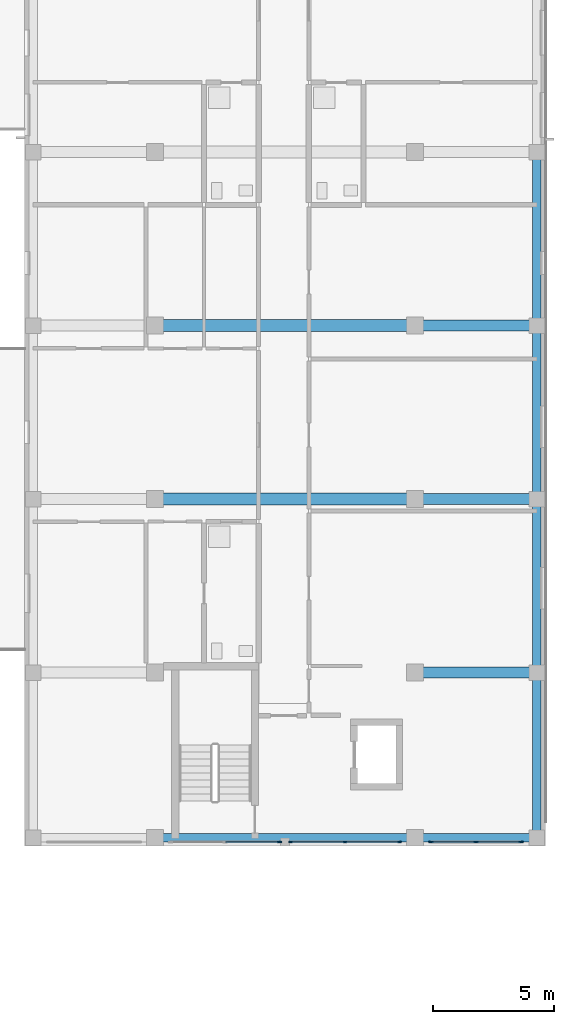
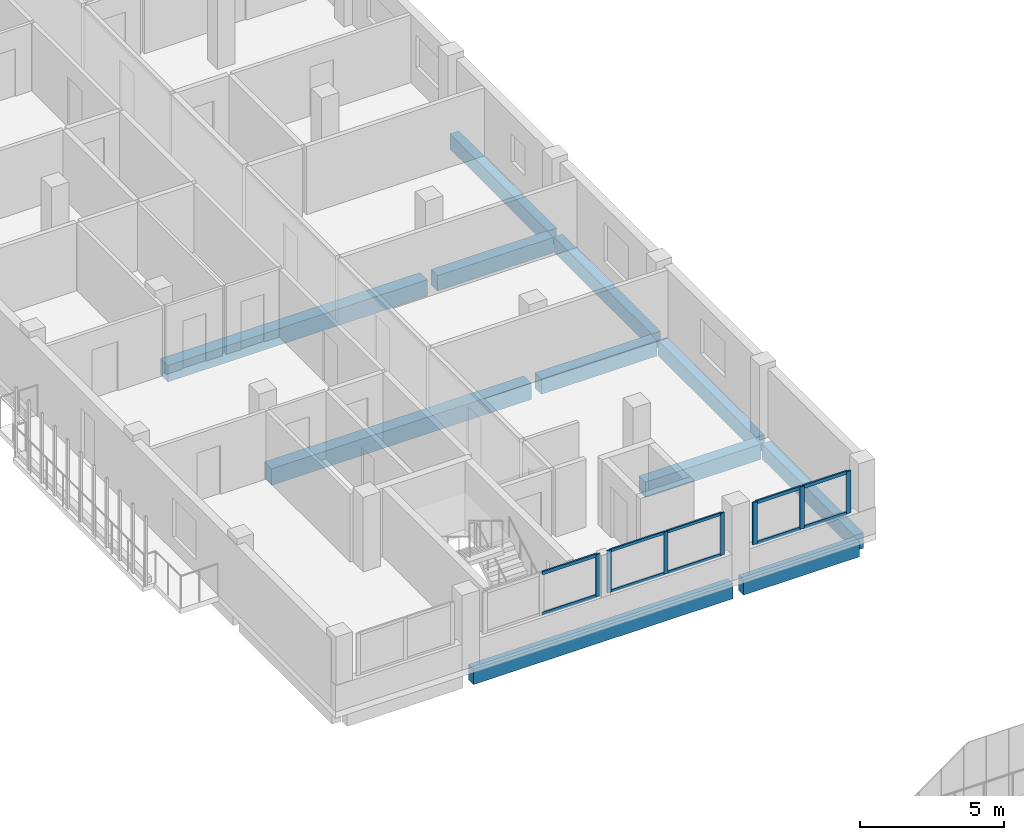
# One storey, part 18 of 51: 17 members, 11 beams, 3 elements without a shape of their own.
"""IFC4 building model written with IfcOpenShell, lengths in metres."""

from ifc_helpers import new_model, si_unit, derived_unit, direction, frame, origin, origin_2d, place, context, subcontext, project, spatial, rectangle, extrude, material, layer, layer_set, material_profile, profile_set, type_object, element, aggregate, save


model = new_model("IFC4")

# Units and contexts
model_context = context("Model", 3, precision=1e-05, world=origin(), true_north=direction((0.0, 1.0)))
body_context = subcontext(model_context, "Body", "Model", "MODEL_VIEW")
ifc_project = project(units=[si_unit("LENGTHUNIT", "METRE"), si_unit("AREAUNIT", "SQUARE_METRE"), si_unit("VOLUMEUNIT", "CUBIC_METRE"), si_unit("PLANEANGLEUNIT", "RADIAN"), si_unit("MASSUNIT", "GRAM", prefix="KILO"), derived_unit("THERMALTRANSMITTANCEUNIT", [(si_unit("MASSUNIT", "GRAM", prefix="KILO"), 1), (si_unit("TIMEUNIT", "SECOND"), -3), (si_unit("THERMODYNAMICTEMPERATUREUNIT", "KELVIN"), -1)])], contexts=[model_context])

# Site, building, storey
site_placement = place(None, origin())
site = spatial("IfcSite", under=ifc_project, at=site_placement, CompositionType="ELEMENT")
building_placement = place(site_placement, origin())
building = spatial("IfcBuilding", under=site, at=building_placement, Name="Ochrekiln Boulevard Commons", CompositionType="ELEMENT")
storey_placement = place(building_placement, frame((0.0, 0.0, 18.375)))
storey = spatial("IfcBuildingStorey", under=building, at=storey_placement, Name="L05", CompositionType="ELEMENT", Elevation=18.375)

# Beams
ifc_material_1 = material(Name="Concrete C35/45", Category="concrete")
ifc_material_profile_1 = material_profile(ifc_material_1, rectangle(XDim=0.449951171875, YDim=0.64990234375, at=origin_2d()), Name="RC-BM-450x650")
ifc_profile_set_1 = profile_set([ifc_material_profile_1], Name="Concrete C35/45")
beam_type_1 = type_object("IfcBeamType", Name="BM-RC-450x650", PredefinedType="BEAM", material=ifc_profile_set_1)
for number, where, z_axis, x_axis, name in (
    (1, (167.610107421875, 75.60009765625, -0.5849609375), (1.0, 0.0, 0.0), (0.0, 1.0, 0.0), "Block B L05 Beam B-4565 X5"),
    (2, (167.610107421875, 82.800048828125, -0.5849609375), (1.0, 0.0, 0.0), (0.0, 1.0, 0.0), "Block B L05 Beam B-4565 X8"),
    (3, (167.610107421875, 90.0, -0.5849609375), (1.0, 0.0, 0.0), (0.0, 1.0, 0.0), "Block B L05 Beam B-4565 X11"),
):
    element("IfcBeam", number, at=place(storey_placement, frame(where, z_axis=z_axis, x_axis=x_axis)), inside=storey, type_object=beam_type_1, Name=name, PredefinedType="BEAM", context=body_context, shape_type="SweptSolid", body=[
        extrude(rectangle(XDim=0.449951171875, YDim=0.64990234375, at=origin_2d()), origin(), (0.0, 0.0, 1.0), 4.6298828125),
    ])
ifc_material_2 = material(Name="Concrete C40/50", Category="concrete")
ifc_material_profile_2 = material_profile(ifc_material_2, rectangle(XDim=0.5, YDim=0.699951171875, at=origin_2d()), Name="RC-BM-500x700")
ifc_profile_set_2 = profile_set([ifc_material_profile_2], Name="Concrete C40/50")
beam_type_2 = type_object("IfcBeamType", Name="BM-RC-500x700", PredefinedType="BEAM", material=ifc_profile_set_2)
for number, where, z_axis, x_axis, name in (
    (4, (156.81005859375, 82.800048828125, -0.610107421875), (1.0, 0.0, 0.0), (0.0, 1.0, 0.0), "Block B L05 Beam B-5070 X7"),
    (5, (156.81005859375, 90.0, -0.610107421875), (1.0, 0.0, 0.0), (0.0, 1.0, 0.0), "Block B L05 Beam B-5070 X10"),
):
    element("IfcBeam", number, at=place(storey_placement, frame(where, z_axis=z_axis, x_axis=x_axis)), inside=storey, type_object=beam_type_2, Name=name, PredefinedType="BEAM", context=body_context, shape_type="SweptSolid", body=[
        extrude(rectangle(XDim=0.5, YDim=0.699951171875, at=origin_2d()), origin(), (0.0, 0.0, 1.0), 10.3798828125),
    ])

# Curtain wall, members
ifc_material_3 = material(Name="Bronze-anodized extruded aluminium 6063-T6", Category="aluminium")
ifc_layer = layer(ifc_material_3, 0.18408203125)
ifc_layer_set = layer_set([ifc_layer], Name="Bronze-anodized extruded aluminium 6063-T6")
curtain_wall_type = type_object("IfcCurtainWallType", Name="CW-GABLE-B", PredefinedType="USERDEFINED", material=ifc_layer_set)
curtain_wall_1_placement = place(storey_placement, origin())
curtain_wall_1 = element("IfcCurtainWall", 6, at=curtain_wall_1_placement, inside=storey, type_object=curtain_wall_type, Name="Block B L05 Courtyard Glazed Gable Curtain Wall 3", ObjectType="GLAZED CURTAIN WALL", PredefinedType="USERDEFINED")
ifc_material_profile_3 = material_profile(ifc_material_3, rectangle(XDim=0.06005859375, YDim=0.159912109375, at=origin_2d()), Name="ALU-MUL-60x160")
ifc_profile_set_3 = profile_set([ifc_material_profile_3], Name="Bronze-anodized extruded aluminium 6063-T6")
member_type_1 = type_object("IfcMemberType", Name="CWM-60x160", PredefinedType="MULLION", material=ifc_profile_set_3)
member_1_placement = place(storey_placement, frame((162.22998046875, 68.570068359375, 1.110107421875), z_axis=(0.0, 0.0, 1.0), x_axis=(0.0, 1.0, 0.0)))
member_1 = element("IfcMember", 7, at=member_1_placement, type_object=member_type_1, Name="CW-02 mullion 1", PredefinedType="MULLION", context=body_context, shape_type="SweptSolid", body=[
    extrude(rectangle(XDim=0.06005859375, YDim=0.159912109375, at=origin_2d()), origin(), (0.0, 0.0, 1.0), 1.77978515625),
])
member_2_placement = place(storey_placement, frame((164.489990234375, 68.570068359375, 1.110107421875), z_axis=(0.0, 0.0, 1.0), x_axis=(0.0, 1.0, 0.0)))
member_2 = element("IfcMember", 8, at=member_2_placement, type_object=member_type_1, Name="CW-02 mullion 2", PredefinedType="MULLION", context=body_context, shape_type="SweptSolid", body=[
    extrude(rectangle(XDim=0.06005859375, YDim=0.159912109375, at=origin_2d()), origin(), (0.0, 0.0, 1.0), 1.77978515625),
])
member_3_placement = place(storey_placement, frame((166.75, 68.570068359375, 1.110107421875), z_axis=(0.0, 0.0, 1.0), x_axis=(0.0, 1.0, 0.0)))
member_3 = element("IfcMember", 9, at=member_3_placement, type_object=member_type_1, Name="CW-02 mullion 3", PredefinedType="MULLION", context=body_context, shape_type="SweptSolid", body=[
    extrude(rectangle(XDim=0.06005859375, YDim=0.159912109375, at=origin_2d()), origin(), (0.0, 0.0, 1.0), 1.77978515625),
])

# Curtain wall, member
curtain_wall_2_placement = place(storey_placement, origin())
curtain_wall_2 = element("IfcCurtainWall", 10, at=curtain_wall_2_placement, inside=storey, type_object=curtain_wall_type, Name="Block B L05 Courtyard Glazed Gable Curtain Wall 2", ObjectType="GLAZED CURTAIN WALL", PredefinedType="USERDEFINED")
ifc_material_profile_4 = material_profile(ifc_material_3, rectangle(XDim=0.06494140625, YDim=0.179931640625, at=origin_2d()), Name="ALU-MUL-65x180")
ifc_profile_set_4 = profile_set([ifc_material_profile_4], Name="Bronze-anodized extruded aluminium 6063-T6")
member_type_2 = type_object("IfcMemberType", Name="CWM-65x180", PredefinedType="MULLION", material=ifc_profile_set_4)
member_4_placement = place(storey_placement, frame((161.767578125, 68.570068359375, 1.110107421875), z_axis=(0.0, 0.0, 1.0), x_axis=(0.0, 1.0, 0.0)))
member_4 = element("IfcMember", 11, at=member_4_placement, type_object=member_type_2, Name="CW-02 mullion 3", PredefinedType="MULLION", context=body_context, shape_type="SweptSolid", body=[
    extrude(rectangle(XDim=0.06494140625, YDim=0.179931640625, at=origin_2d()), origin(), (0.0, 0.0, 1.0), 1.77978515625),
])

# Curtain wall, members
curtain_wall_3_placement = place(storey_placement, origin())
curtain_wall_3 = element("IfcCurtainWall", 12, at=curtain_wall_3_placement, inside=storey, type_object=curtain_wall_type, Name="Block B L05 Courtyard Glazed Gable Curtain Wall 4", ObjectType="GLAZED CURTAIN WALL", PredefinedType="USERDEFINED")
member_5_placement = place(storey_placement, frame((168.052490234375, 68.570068359375, 1.110107421875), z_axis=(0.0, 0.0, 1.0), x_axis=(0.0, 1.0, 0.0)))
member_5 = element("IfcMember", 13, at=member_5_placement, type_object=member_type_2, Name="CW-02 mullion 1", PredefinedType="MULLION", context=body_context, shape_type="SweptSolid", body=[
    extrude(rectangle(XDim=0.06494140625, YDim=0.179931640625, at=origin_2d()), origin(), (0.0, 0.0, 1.0), 1.77978515625),
])
member_6_placement = place(storey_placement, frame((169.925048828125, 68.570068359375, 1.110107421875), z_axis=(0.0, 0.0, 1.0), x_axis=(0.0, 1.0, 0.0)))
member_6 = element("IfcMember", 14, at=member_6_placement, type_object=member_type_2, Name="CW-02 mullion 2", PredefinedType="MULLION", context=body_context, shape_type="SweptSolid", body=[
    extrude(rectangle(XDim=0.06494140625, YDim=0.179931640625, at=origin_2d()), origin(), (0.0, 0.0, 1.0), 1.77978515625),
])
member_7_placement = place(storey_placement, frame((171.797607421875, 68.570068359375, 1.110107421875), z_axis=(0.0, 0.0, 1.0), x_axis=(0.0, 1.0, 0.0)))
member_7 = element("IfcMember", 15, at=member_7_placement, type_object=member_type_2, Name="CW-02 mullion 3", PredefinedType="MULLION", context=body_context, shape_type="SweptSolid", body=[
    extrude(rectangle(XDim=0.06494140625, YDim=0.179931640625, at=origin_2d()), origin(), (0.0, 0.0, 1.0), 1.77978515625),
])

# Member
ifc_material_profile_5 = material_profile(ifc_material_3, rectangle(XDim=0.06005859375, YDim=0.1201171875, at=origin_2d()), Name="ALU-TRN-60x120")
ifc_profile_set_5 = profile_set([ifc_material_profile_5], Name="Bronze-anodized extruded aluminium 6063-T6")
member_type_3 = type_object("IfcMemberType", Name="CWT-60x120", PredefinedType="USERDEFINED", material=ifc_profile_set_5)
member_8_placement = place(storey_placement, frame((162.260009765625, 68.570068359375, 1.139892578125), z_axis=(1.0, 0.0, 0.0), x_axis=(0.0, 1.0, 0.0)))
member_8 = element("IfcMember", 16, at=member_8_placement, type_object=member_type_3, Name="CW-02 transom 1.1", ObjectType="TRANSOM", PredefinedType="USERDEFINED", context=body_context, shape_type="SweptSolid", body=[
    extrude(rectangle(XDim=0.06005859375, YDim=0.1201171875, at=origin_2d()), origin(), (0.0, 0.0, 1.0), 2.199951171875),
])

member_9_placement = place(storey_placement, frame((162.260009765625, 68.570068359375, 2.860107421875), z_axis=(1.0, 0.0, 0.0), x_axis=(0.0, 1.0, 0.0)))
member_9 = element("IfcMember", 17, at=member_9_placement, type_object=member_type_3, Name="CW-02 transom 1.2", ObjectType="TRANSOM", PredefinedType="USERDEFINED", context=body_context, shape_type="SweptSolid", body=[
    extrude(rectangle(XDim=0.06005859375, YDim=0.1201171875, at=origin_2d()), origin(), (0.0, 0.0, 1.0), 2.199951171875),
])

member_10_placement = place(storey_placement, frame((164.52001953125, 68.570068359375, 1.139892578125), z_axis=(1.0, 0.0, 0.0), x_axis=(0.0, 1.0, 0.0)))
member_10 = element("IfcMember", 18, at=member_10_placement, type_object=member_type_3, Name="CW-02 transom 2.1", ObjectType="TRANSOM", PredefinedType="USERDEFINED", context=body_context, shape_type="SweptSolid", body=[
    extrude(rectangle(XDim=0.06005859375, YDim=0.1201171875, at=origin_2d()), origin(), (0.0, 0.0, 1.0), 2.199951171875),
])

member_11_placement = place(storey_placement, frame((164.52001953125, 68.570068359375, 2.860107421875), z_axis=(1.0, 0.0, 0.0), x_axis=(0.0, 1.0, 0.0)))
member_11 = element("IfcMember", 19, at=member_11_placement, type_object=member_type_3, Name="CW-02 transom 2.2", ObjectType="TRANSOM", PredefinedType="USERDEFINED", context=body_context, shape_type="SweptSolid", body=[
    extrude(rectangle(XDim=0.06005859375, YDim=0.1201171875, at=origin_2d()), origin(), (0.0, 0.0, 1.0), 2.199951171875),
])

aggregate(curtain_wall_1, [member_1, member_2, member_3, member_8, member_9, member_10, member_11])

ifc_material_profile_6 = material_profile(ifc_material_3, rectangle(XDim=0.06494140625, YDim=0.139892578125, at=origin_2d()), Name="ALU-TRN-65x140")
ifc_profile_set_6 = profile_set([ifc_material_profile_6], Name="Bronze-anodized extruded aluminium 6063-T6")
member_type_4 = type_object("IfcMemberType", Name="CWT-65x140", PredefinedType="USERDEFINED", material=ifc_profile_set_6)
member_12_placement = place(storey_placement, frame((159.54248046875, 68.570068359375, 1.142578125), z_axis=(1.0, 0.0, 0.0), x_axis=(0.0, 1.0, 0.0)))
member_12 = element("IfcMember", 20, at=member_12_placement, type_object=member_type_4, Name="CW-02 transom 2.1", ObjectType="TRANSOM", PredefinedType="USERDEFINED", context=body_context, shape_type="SweptSolid", body=[
    extrude(rectangle(XDim=0.06494140625, YDim=0.139892578125, at=origin_2d()), origin(), (0.0, 0.0, 1.0), 2.192626953125),
])

member_13_placement = place(storey_placement, frame((159.54248046875, 68.570068359375, 2.857421875), z_axis=(1.0, 0.0, 0.0), x_axis=(0.0, 1.0, 0.0)))
member_13 = element("IfcMember", 21, at=member_13_placement, type_object=member_type_4, Name="CW-02 transom 2.2", ObjectType="TRANSOM", PredefinedType="USERDEFINED", context=body_context, shape_type="SweptSolid", body=[
    extrude(rectangle(XDim=0.06494140625, YDim=0.139892578125, at=origin_2d()), origin(), (0.0, 0.0, 1.0), 2.192626953125),
])

aggregate(curtain_wall_2, [member_4, member_12, member_13])

member_14_placement = place(storey_placement, frame((168.0849609375, 68.570068359375, 1.142578125), z_axis=(1.0, 0.0, 0.0), x_axis=(0.0, 1.0, 0.0)))
member_14 = element("IfcMember", 22, at=member_14_placement, type_object=member_type_4, Name="CW-02 transom 1.1", ObjectType="TRANSOM", PredefinedType="USERDEFINED", context=body_context, shape_type="SweptSolid", body=[
    extrude(rectangle(XDim=0.06494140625, YDim=0.139892578125, at=origin_2d()), origin(), (0.0, 0.0, 1.0), 1.8076171875),
])

member_15_placement = place(storey_placement, frame((168.0849609375, 68.570068359375, 2.857421875), z_axis=(1.0, 0.0, 0.0), x_axis=(0.0, 1.0, 0.0)))
member_15 = element("IfcMember", 23, at=member_15_placement, type_object=member_type_4, Name="CW-02 transom 1.2", ObjectType="TRANSOM", PredefinedType="USERDEFINED", context=body_context, shape_type="SweptSolid", body=[
    extrude(rectangle(XDim=0.06494140625, YDim=0.139892578125, at=origin_2d()), origin(), (0.0, 0.0, 1.0), 1.8076171875),
])

member_16_placement = place(storey_placement, frame((169.95751953125, 68.570068359375, 1.142578125), z_axis=(1.0, 0.0, 0.0), x_axis=(0.0, 1.0, 0.0)))
member_16 = element("IfcMember", 24, at=member_16_placement, type_object=member_type_4, Name="CW-02 transom 2.1", ObjectType="TRANSOM", PredefinedType="USERDEFINED", context=body_context, shape_type="SweptSolid", body=[
    extrude(rectangle(XDim=0.06494140625, YDim=0.139892578125, at=origin_2d()), origin(), (0.0, 0.0, 1.0), 1.807373046875),
])

member_17_placement = place(storey_placement, frame((169.95751953125, 68.570068359375, 2.857421875), z_axis=(1.0, 0.0, 0.0), x_axis=(0.0, 1.0, 0.0)))
member_17 = element("IfcMember", 25, at=member_17_placement, type_object=member_type_4, Name="CW-02 transom 2.2", ObjectType="TRANSOM", PredefinedType="USERDEFINED", context=body_context, shape_type="SweptSolid", body=[
    extrude(rectangle(XDim=0.06494140625, YDim=0.139892578125, at=origin_2d()), origin(), (0.0, 0.0, 1.0), 1.807373046875),
])

aggregate(curtain_wall_3, [member_5, member_6, member_7, member_14, member_15, member_16, member_17])

# Beams
ifc_material_profile_7 = material_profile(ifc_material_2, rectangle(XDim=0.35009765625, YDim=0.64990234375, at=origin_2d()), Name="RC-SPN-350x650")
ifc_profile_set_7 = profile_set([ifc_material_profile_7], Name="Concrete C40/50")
beam_type_3 = type_object("IfcBeamType", Name="SPN-RC-350x650", PredefinedType="SPANDREL", material=ifc_profile_set_7)
beam_1_placement = place(storey_placement, frame((156.81005859375, 68.75, -0.5849609375), z_axis=(1.0, 0.0, 0.0), x_axis=(0.0, 1.0, 0.0)))
element("IfcBeam", 26, at=beam_1_placement, inside=storey, type_object=beam_type_3, Name="Block B L05 Beam SP-3565 X2", PredefinedType="SPANDREL", context=body_context, shape_type="SweptSolid", body=[
    extrude(rectangle(XDim=0.35009765625, YDim=0.64990234375, at=origin_2d()), origin(), (0.0, 0.0, 1.0), 10.3798828125),
])
beam_2_placement = place(storey_placement, frame((167.610107421875, 68.75, -0.5849609375), z_axis=(1.0, 0.0, 0.0), x_axis=(0.0, 1.0, 0.0)))
element("IfcBeam", 27, at=beam_2_placement, inside=storey, type_object=beam_type_3, Name="Block B L05 Beam SP-3565 X3", PredefinedType="SPANDREL", context=body_context, shape_type="SweptSolid", body=[
    extrude(rectangle(XDim=0.35009765625, YDim=0.64990234375, at=origin_2d()), origin(), (0.0, 0.0, 1.0), 4.6298828125),
])
beam_3_placement = place(storey_placement, frame((172.449951171875, 68.9599609375, -0.5849609375), z_axis=(0.0, 1.0, 0.0), x_axis=(-1.0, 0.0, 0.0)))
element("IfcBeam", 28, at=beam_3_placement, inside=storey, type_object=beam_type_3, Name="Block B L05 Beam SP-3565 Y30", PredefinedType="SPANDREL", context=body_context, shape_type="SweptSolid", body=[
    extrude(rectangle(XDim=0.35009765625, YDim=0.64990234375, at=origin_2d()), origin(), (0.0, 0.0, 1.0), 6.429931640625),
])
for number, where, z_axis, x_axis, name in (
    (29, (172.449951171875, 75.81005859375, -0.5849609375), (0.0, 1.0, 0.0), (-1.0, 0.0, 0.0), "Block B L05 Beam SP-3565 Y31"),
    (30, (172.449951171875, 83.010009765625, -0.5849609375), (0.0, 1.0, 0.0), (-1.0, 0.0, 0.0), "Block B L05 Beam SP-3565 Y32"),
    (31, (172.449951171875, 90.2099609375, -0.5849609375), (0.0, 1.0, 0.0), (-1.0, 0.0, 0.0), "Block B L05 Beam SP-3565 Y33"),
):
    element("IfcBeam", number, at=place(storey_placement, frame(where, z_axis=z_axis, x_axis=x_axis)), inside=storey, type_object=beam_type_3, Name=name, PredefinedType="SPANDREL", context=body_context, shape_type="SweptSolid", body=[
        extrude(rectangle(XDim=0.35009765625, YDim=0.64990234375, at=origin_2d()), origin(), (0.0, 0.0, 1.0), 6.780029296875),
    ])

save(model, "model.ifc")
